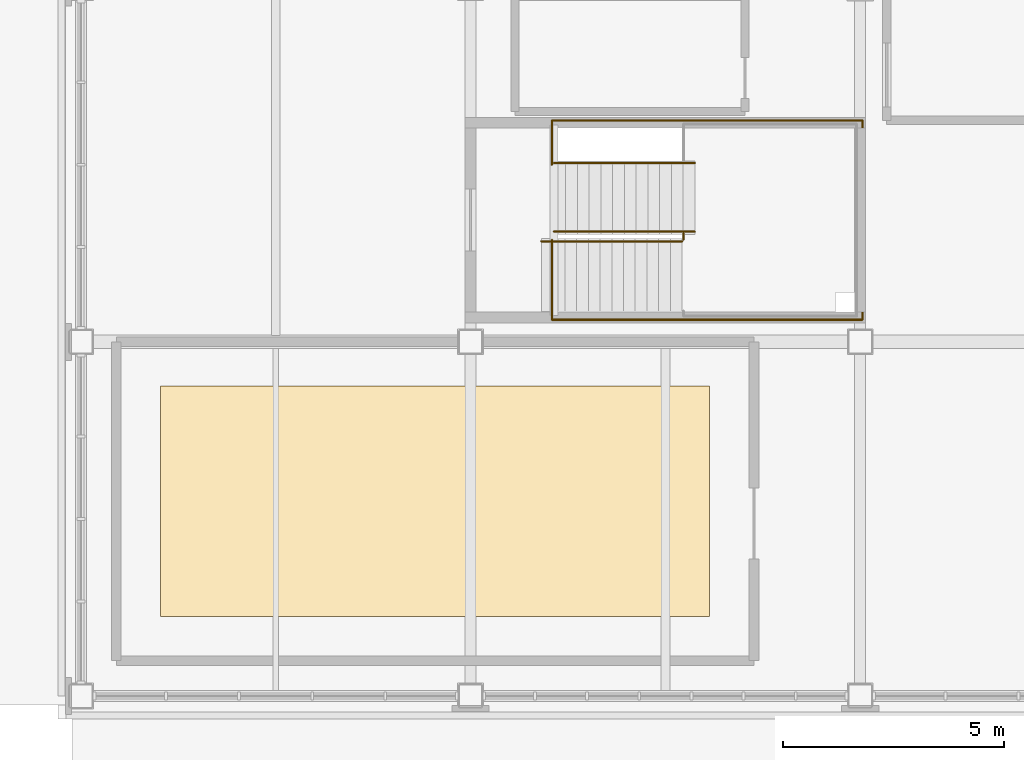
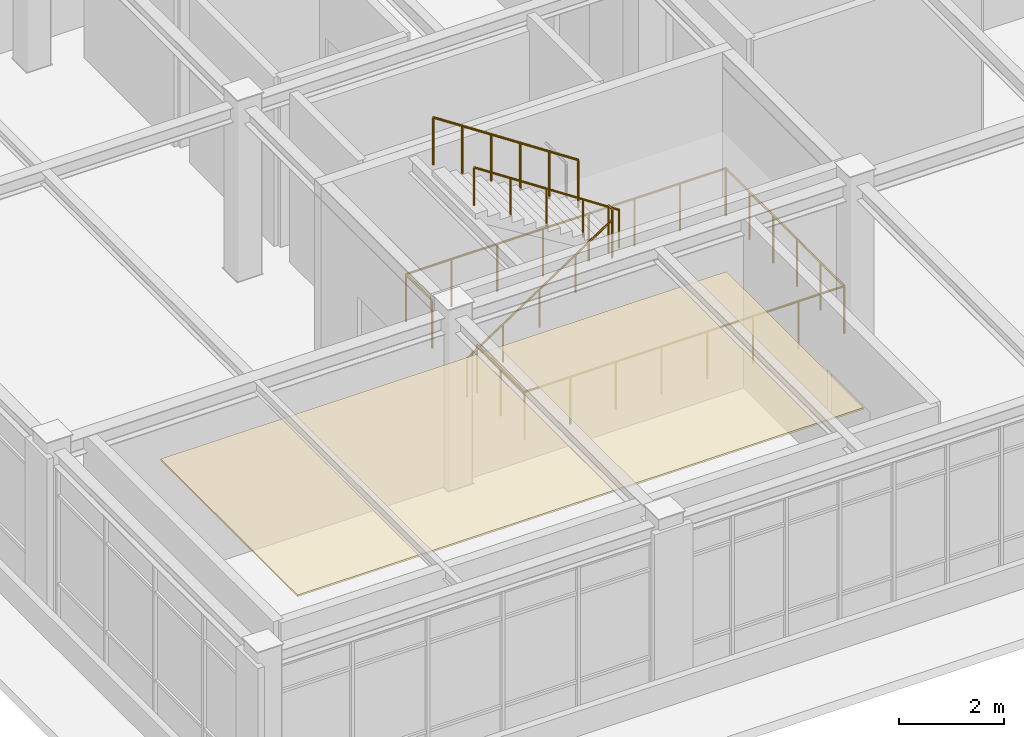
# One storey, part 59 of 64: 5 railings, 1 covering.
"""IFC4 building model written with IfcOpenShell, lengths in metres."""

from ifc_helpers import new_model, si_unit, direction, frame, origin, origin_2d, place, context, subcontext, project, spatial, rectangle, circle, extrude, material, layer, layer_set, type_object, element, save


model = new_model("IFC4")

# Units and contexts
model_context = context("Model", 3, precision=1e-05, world=origin(), true_north=direction((0.0, 1.0)))
body_context = subcontext(model_context, "Body", "Model", "MODEL_VIEW")
ifc_project = project(units=[si_unit("LENGTHUNIT", "METRE"), si_unit("AREAUNIT", "SQUARE_METRE"), si_unit("VOLUMEUNIT", "CUBIC_METRE"), si_unit("PLANEANGLEUNIT", "RADIAN"), si_unit("MASSUNIT", "GRAM", prefix="KILO")], contexts=[model_context])

# Site, building, storey
site_placement = place(None, origin())
site = spatial("IfcSite", under=ifc_project, at=site_placement, CompositionType="ELEMENT")
building_placement = place(site_placement, origin())
building = spatial("IfcBuilding", under=site, at=building_placement, Name="Zhaolan Boulevard Law Courts", CompositionType="ELEMENT")
storey_placement = place(building_placement, frame((0.0, 0.0, 20.39990234375)))
storey = spatial("IfcBuildingStorey", under=building, at=storey_placement, Name="L04", CompositionType="ELEMENT", Elevation=20.39990234375)

# Covering
ifc_material_1 = material(Name="Perforated acoustic gypsum and timber-slat ceiling", Category="wood")
ifc_layer = layer(ifc_material_1, 0.0400390625)
ifc_layer_set = layer_set([ifc_layer])
covering_type = type_object("IfcCoveringType", Name="ACOUSTIC CEILING 40", PredefinedType="CEILING", material=ifc_layer_set)
covering_placement = place(storey_placement, frame((8.0, 34.39990234375, 3.510009765625), z_axis=(0.0, 0.0, 1.0), x_axis=(1.0, 0.0, 0.0)))
element("IfcCovering", 1, at=covering_placement, inside=storey, type_object=covering_type, Name="Acoustic Baffle Ceiling CLG-11", PredefinedType="CEILING", context=body_context, shape_type="SweptSolid", body=[
    extrude(rectangle(XDim=12.39990234375, YDim=5.199951171875, at=origin_2d()), origin(), (0.0, 0.0, 1.0), 0.0400390625),
])

# Railings
ifc_material_2 = material(Name="Brushed stainless steel tubular handrail", Category="steel")
railing_type_1 = type_object("IfcRailingType", Name="STAIR HANDRAIL 900", PredefinedType="HANDRAIL", material=ifc_material_2)
railing_1_placement = place(storey_placement, frame((10.39990234375, 40.27001953125, 0.0)))
element("IfcRailing", 2, at=railing_1_placement, inside=storey, type_object=railing_type_1, Name="Stair Handrail HR-ST03-L04-1", PredefinedType="HANDRAIL", context=body_context, shape_type="SweptSolid", body=[
    extrude(circle(Radius=0.0224609375, at=origin_2d()), frame((0.0, 0.0, 0.87744140625), z_axis=(0.834466833004, 0.0, 0.551058168087), x_axis=(0.0, 1.0, 0.0)), (0.0, 0.0, 1.0), 3.81103515625),
    extrude(circle(Radius=0.01904296875, at=origin_2d()), origin(), (0.0, 0.0, 1.0), 0.85498046875),
    extrude(circle(Radius=0.01904296875, at=origin_2d()), frame((0.794921875, 0.0, 0.52490234375)), (0.0, 0.0, 1.0), 0.85498046875),
    extrude(circle(Radius=0.01904296875, at=origin_2d()), frame((1.590087890625, 0.0, 1.050048828125)), (0.0, 0.0, 1.0), 0.85498046875),
    extrude(circle(Radius=0.01904296875, at=origin_2d()), frame((2.38525390625, 0.0, 1.5751953125)), (0.0, 0.0, 1.0), 0.85498046875),
    extrude(circle(Radius=0.01904296875, at=origin_2d()), frame((3.18017578125, 0.0, 2.10009765625)), (0.0, 0.0, 1.0), 0.85498046875),
])
railing_2_placement = place(storey_placement, frame((13.864990234375, 40.489990234375, 2.10009765625)))
element("IfcRailing", 3, at=railing_2_placement, inside=storey, type_object=railing_type_1, Name="Stair Handrail HR-ST03-L04-2", PredefinedType="HANDRAIL", context=body_context, shape_type="SweptSolid", body=[
    extrude(circle(Radius=0.0224609375, at=origin_2d()), frame((0.0, 0.0, 0.87744140625), z_axis=(-0.834447378162, 0.0, 0.551087627405), x_axis=(0.0, -1.0, 0.0)), (0.0, 0.0, 1.0), 3.810791015625),
    extrude(circle(Radius=0.01904296875, at=origin_2d()), origin(), (0.0, 0.0, 1.0), 0.85498046875),
    extrude(circle(Radius=0.01904296875, at=origin_2d()), frame((-0.794921875, 0.0, 0.52490234375)), (0.0, 0.0, 1.0), 0.85498046875),
    extrude(circle(Radius=0.01904296875, at=origin_2d()), frame((-1.58984375, 0.0, 1.050048828125)), (0.0, 0.0, 1.0), 0.85498046875),
    extrude(circle(Radius=0.01904296875, at=origin_2d()), frame((-2.385009765625, 0.0, 1.5751953125)), (0.0, 0.0, 1.0), 0.85498046875),
    extrude(circle(Radius=0.01904296875, at=origin_2d()), frame((-3.179931640625, 0.0, 2.10009765625)), (0.0, 0.0, 1.0), 0.85498046875),
])
ifc_material_3 = material(Name="Powder-coated steel baluster guardrail", Category="steel")
railing_type_2 = type_object("IfcRailingType", Name="STAIR WELL GUARDRAIL 1120", PredefinedType="GUARDRAIL", material=ifc_material_3)
railing_3_placement = place(storey_placement, frame((10.639892578125, 40.300048828125, 0.0)))
element("IfcRailing", 4, at=railing_3_placement, inside=storey, type_object=railing_type_2, Name="Stair-Well Floor Guardrail WG-ST03-L03", PredefinedType="GUARDRAIL", context=body_context, shape_type="SweptSolid", body=[
    extrude(circle(Radius=0.02392578125, at=origin_2d()), frame((0.0, 0.0, 1.09619140625), z_axis=(0.0, -1.0, 0.0), x_axis=(1.0, 0.0, 0.0)), (0.0, 0.0, 1.0), 1.800048828125),
    extrude(circle(Radius=0.02392578125, at=origin_2d()), frame((0.0, -1.800048828125, 1.09619140625), z_axis=(1.0, 0.0, 0.0), x_axis=(0.0, 1.0, 0.0)), (0.0, 0.0, 1.0), 7.010009765625),
    extrude(circle(Radius=0.02392578125, at=origin_2d()), frame((7.010009765625, -1.800048828125, 1.09619140625), z_axis=(0.0, 1.0, 0.0), x_axis=(-1.0, 0.0, 0.0)), (0.0, 0.0, 1.0), 4.5),
    extrude(circle(Radius=0.02392578125, at=origin_2d()), frame((7.010009765625, 2.699951171875, 1.09619140625), z_axis=(-1.0, 0.0, 0.0), x_axis=(0.0, -1.0, 0.0)), (0.0, 0.0, 1.0), 7.010009765625),
    extrude(circle(Radius=0.02392578125, at=origin_2d()), frame((0.0, 2.699951171875, 1.09619140625), z_axis=(0.0, -1.0, 0.0), x_axis=(1.0, 0.0, 0.0)), (0.0, 0.0, 1.0), 1.0),
    extrude(circle(Radius=0.02099609375, at=origin_2d()), origin(), (0.0, 0.0, 1.0), 1.072021484375),
    extrude(circle(Radius=0.02099609375, at=origin_2d()), frame((0.0, -0.89990234375, 0.0)), (0.0, 0.0, 1.0), 1.072021484375),
    extrude(circle(Radius=0.02099609375, at=origin_2d()), frame((0.0, -1.800048828125, 0.0)), (0.0, 0.0, 1.0), 1.072021484375),
    extrude(circle(Radius=0.02099609375, at=origin_2d()), frame((1.00146484375, -1.800048828125, 0.0)), (0.0, 0.0, 1.0), 1.072021484375),
    extrude(circle(Radius=0.02099609375, at=origin_2d()), frame((2.0029296875, -1.800048828125, 0.0)), (0.0, 0.0, 1.0), 1.072021484375),
    extrude(circle(Radius=0.02099609375, at=origin_2d()), frame((3.00439453125, -1.800048828125, 0.0)), (0.0, 0.0, 1.0), 1.072021484375),
    extrude(circle(Radius=0.02099609375, at=origin_2d()), frame((4.005615234375, -1.800048828125, 0.0)), (0.0, 0.0, 1.0), 1.072021484375),
    extrude(circle(Radius=0.02099609375, at=origin_2d()), frame((5.007080078125, -1.800048828125, 0.0)), (0.0, 0.0, 1.0), 1.072021484375),
    extrude(circle(Radius=0.02099609375, at=origin_2d()), frame((6.008544921875, -1.800048828125, 0.0)), (0.0, 0.0, 1.0), 1.072021484375),
    extrude(circle(Radius=0.02099609375, at=origin_2d()), frame((7.010009765625, -1.800048828125, 0.0)), (0.0, 0.0, 1.0), 1.072021484375),
    extrude(circle(Radius=0.02099609375, at=origin_2d()), frame((7.010009765625, -0.900146484375, 0.0)), (0.0, 0.0, 1.0), 1.072021484375),
    extrude(circle(Radius=0.02099609375, at=origin_2d()), frame((7.010009765625, 0.0, 0.0)), (0.0, 0.0, 1.0), 1.072021484375),
    extrude(circle(Radius=0.02099609375, at=origin_2d()), frame((7.010009765625, 0.89990234375, 0.0)), (0.0, 0.0, 1.0), 1.072021484375),
    extrude(circle(Radius=0.02099609375, at=origin_2d()), frame((7.010009765625, 1.800048828125, 0.0)), (0.0, 0.0, 1.0), 1.072021484375),
    extrude(circle(Radius=0.02099609375, at=origin_2d()), frame((7.010009765625, 2.699951171875, 0.0)), (0.0, 0.0, 1.0), 1.072021484375),
    extrude(circle(Radius=0.02099609375, at=origin_2d()), frame((6.008544921875, 2.699951171875, 0.0)), (0.0, 0.0, 1.0), 1.072021484375),
    extrude(circle(Radius=0.02099609375, at=origin_2d()), frame((5.007080078125, 2.699951171875, 0.0)), (0.0, 0.0, 1.0), 1.072021484375),
    extrude(circle(Radius=0.02099609375, at=origin_2d()), frame((4.005615234375, 2.699951171875, 0.0)), (0.0, 0.0, 1.0), 1.072021484375),
    extrude(circle(Radius=0.02099609375, at=origin_2d()), frame((3.00439453125, 2.699951171875, 0.0)), (0.0, 0.0, 1.0), 1.072021484375),
    extrude(circle(Radius=0.02099609375, at=origin_2d()), frame((2.0029296875, 2.699951171875, 0.0)), (0.0, 0.0, 1.0), 1.072021484375),
    extrude(circle(Radius=0.02099609375, at=origin_2d()), frame((1.00146484375, 2.699951171875, 0.0)), (0.0, 0.0, 1.0), 1.072021484375),
    extrude(circle(Radius=0.02099609375, at=origin_2d()), frame((0.0, 2.699951171875, 0.0)), (0.0, 0.0, 1.0), 1.072021484375),
    extrude(circle(Radius=0.02099609375, at=origin_2d()), frame((0.0, 1.699951171875, 0.0)), (0.0, 0.0, 1.0), 1.072021484375),
])
railing_4_placement = place(storey_placement, frame((13.610107421875, 40.31005859375, 2.10009765625)))
element("IfcRailing", 5, at=railing_4_placement, inside=storey, type_object=railing_type_2, Name="Half-Landing Well Guardrail SG-ST03-L04-W", PredefinedType="GUARDRAIL", context=body_context, shape_type="SweptSolid", body=[
    extrude(circle(Radius=0.02392578125, at=origin_2d()), frame((0.0, 0.0, 1.09619140625), z_axis=(0.0, 1.0, 0.0), x_axis=(-1.0, 0.0, 0.0)), (0.0, 0.0, 1.0), 0.139892578125),
    extrude(circle(Radius=0.02099609375, at=origin_2d()), origin(), (0.0, 0.0, 1.0), 1.072021484375),
    extrude(circle(Radius=0.02099609375, at=origin_2d()), frame((0.0, 0.139892578125, 0.0)), (0.0, 0.0, 1.0), 1.072021484375),
])
railing_5_placement = place(storey_placement, frame((13.864990234375, 42.0400390625, 2.10009765625)))
element("IfcRailing", 6, at=railing_5_placement, inside=storey, type_object=railing_type_2, Name="Flight Guardrail SG-ST03-L04-F2", PredefinedType="GUARDRAIL", context=body_context, shape_type="SweptSolid", body=[
    extrude(circle(Radius=0.02392578125, at=origin_2d()), frame((0.0, 0.0, 1.09619140625), z_axis=(-0.834447378162, 0.0, 0.551087627405), x_axis=(0.0, -1.0, 0.0)), (0.0, 0.0, 1.0), 3.810791015625),
    extrude(circle(Radius=0.02099609375, at=origin_2d()), origin(), (0.0, 0.0, 1.0), 1.072021484375),
    extrude(circle(Radius=0.02099609375, at=origin_2d()), frame((-0.635986328125, 0.0, 0.419921875)), (0.0, 0.0, 1.0), 1.072021484375),
    extrude(circle(Radius=0.02099609375, at=origin_2d()), frame((-1.27197265625, 0.0, 0.840087890625)), (0.0, 0.0, 1.0), 1.072021484375),
    extrude(circle(Radius=0.02099609375, at=origin_2d()), frame((-1.907958984375, 0.0, 1.260009765625)), (0.0, 0.0, 1.0), 1.072021484375),
    extrude(circle(Radius=0.02099609375, at=origin_2d()), frame((-2.5439453125, 0.0, 1.68017578125)), (0.0, 0.0, 1.0), 1.072021484375),
    extrude(circle(Radius=0.02099609375, at=origin_2d()), frame((-3.179931640625, 0.0, 2.10009765625)), (0.0, 0.0, 1.0), 1.072021484375),
])

save(model, "model.ifc")
